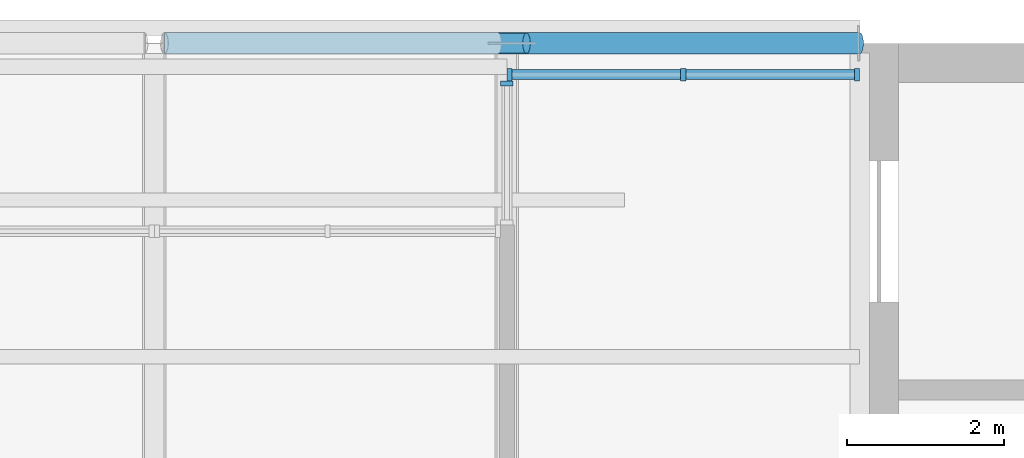
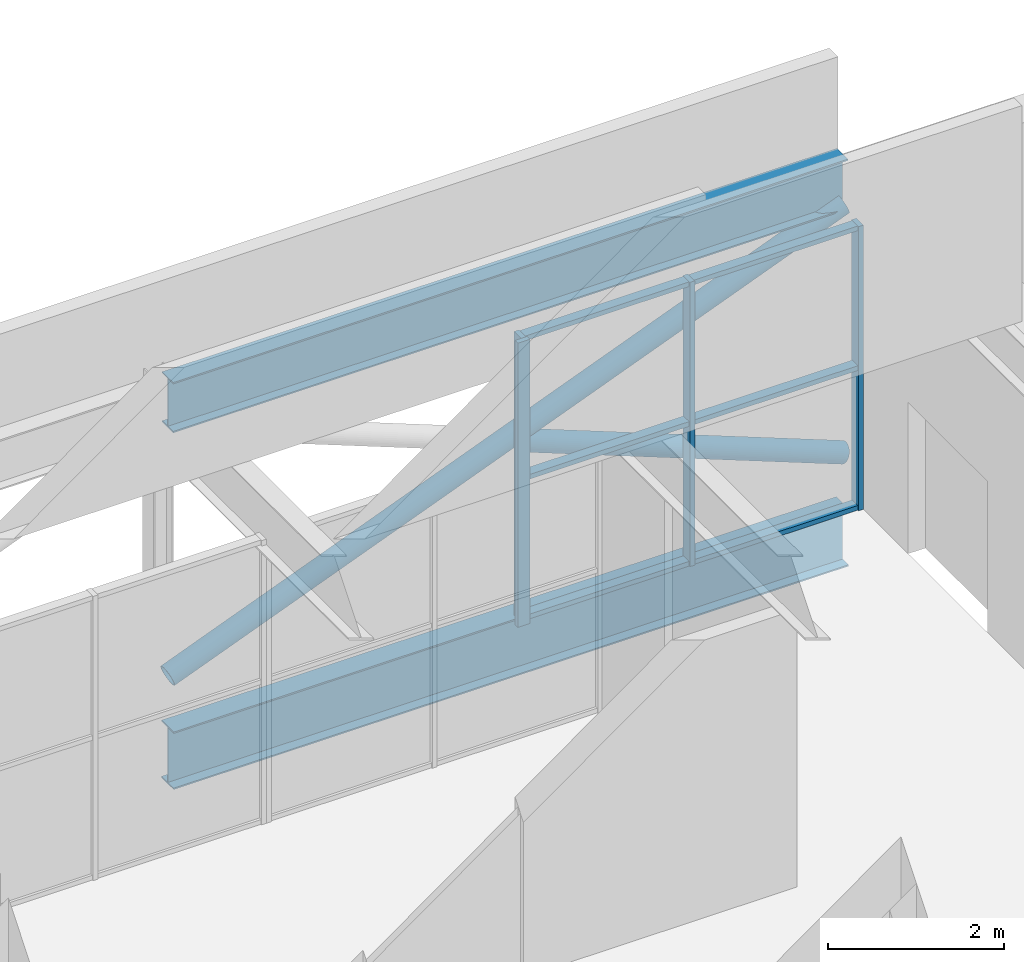
# One storey, part 5 of 13: 12 members, 2 beams, 2 elements without a shape of their own.
"""IFC4 building model written with IfcOpenShell, lengths in metres."""

from ifc_helpers import new_model, si_unit, direction, frame, origin, origin_2d, place, context, subcontext, project, spatial, rectangle, hollow_circle, i_section, extrude, material, layer, layer_set, material_profile, profile_set, type_object, element, aggregate, save


model = new_model("IFC4")

# Units and contexts
model_context = context("Model", 3, precision=1e-05, world=origin(), true_north=direction((0.0, 1.0)))
body_context = subcontext(model_context, "Body", "Model", "MODEL_VIEW")
ifc_project = project(units=[si_unit("LENGTHUNIT", "METRE"), si_unit("AREAUNIT", "SQUARE_METRE"), si_unit("VOLUMEUNIT", "CUBIC_METRE"), si_unit("PLANEANGLEUNIT", "RADIAN"), si_unit("MASSUNIT", "GRAM", prefix="KILO")], contexts=[model_context])

# Site, building, storey
site_placement = place(None, origin())
site = spatial("IfcSite", under=ifc_project, at=site_placement, CompositionType="ELEMENT")
building_placement = place(site_placement, origin())
building = spatial("IfcBuilding", under=site, at=building_placement, Name="Corbel Yard City Hall", CompositionType="ELEMENT")
storey_placement = place(building_placement, frame((0.0, 0.0, 71.199951171875)))
storey = spatial("IfcBuildingStorey", under=building, at=storey_placement, Name="L17", CompositionType="ELEMENT", Elevation=71.199951171875)

# Members
ifc_material_1 = material(Name="Steel Grade C350L0", Category="steel")
ifc_material_profile_1 = material_profile(ifc_material_1, hollow_circle(Radius=0.136474609375, WallThickness=0.00927734375, at=origin_2d()), Name="273.1x9.3CHS")
ifc_profile_set_1 = profile_set([ifc_material_profile_1], Name="Steel Grade C350L0")
member_type_1 = type_object("IfcMemberType", Name="Crown brace 273.1x9.3CHS", PredefinedType="BRACE", material=ifc_profile_set_1)
member_1_placement = place(storey_placement, frame((36.1298828125, 117.0, 0.5), z_axis=(0.93155453229, 0.0, 0.363601641044), x_axis=(0.0, 1.0, 0.0)))
element("IfcMember", 1, at=member_1_placement, inside=storey, type_object=member_type_1, Name="Crown brace 273.1x9.3CHS BX1", PredefinedType="BRACE", context=body_context, shape_type="SweptSolid", body=[
    extrude(hollow_circle(Radius=0.136474609375, WallThickness=0.00927734375, at=origin_2d()), origin(), (0.0, 0.0, 1.0), 9.521728515625),
])
ifc_material_profile_2 = material_profile(ifc_material_1, hollow_circle(Radius=0.136474609375, WallThickness=0.00927734375, at=origin_2d()), Name="273.1x9.3CHS")
ifc_profile_set_2 = profile_set([ifc_material_profile_2], Name="Steel Grade C350L0")
member_type_2 = type_object("IfcMemberType", Name="Crown half brace 273.1x9.3CHS", PredefinedType="BRACE", material=ifc_profile_set_2)
member_2_placement = place(storey_placement, frame((40.75, 117.0, 2.158935546875), z_axis=(0.931548000726, 0.0, -0.363618374594), x_axis=(0.0, 1.0, 0.0)))
element("IfcMember", 2, at=member_2_placement, inside=storey, type_object=member_type_2, Name="Crown half brace 273.1x9.3CHS BX2", PredefinedType="BRACE", context=body_context, shape_type="SweptSolid", body=[
    extrude(hollow_circle(Radius=0.136474609375, WallThickness=0.00927734375, at=origin_2d()), origin(), (0.0, 0.0, 1.0), 4.562255859375),
])

# Beams
ifc_material_2 = material(Name="Steel Grade 350", Category="steel")
ifc_material_profile_3 = material_profile(ifc_material_2, i_section(OverallWidth=0.25, OverallDepth=0.699951171875, WebThickness=0.010009765625, FlangeThickness=0.02001953125, at=origin_2d()), Name="700WB130")
ifc_profile_set_3 = profile_set([ifc_material_profile_3], Name="Steel Grade 350")
beam_type_1 = type_object("IfcBeamType", Name="Edge beam 700WB130", PredefinedType="BEAM", material=ifc_profile_set_3)
beam_1_placement = place(storey_placement, frame((36.1298828125, 117.0, 4.300048828125), z_axis=(1.0, 0.0, 0.0), x_axis=(0.0, 1.0, 0.0)))
element("IfcBeam", 3, at=beam_1_placement, inside=storey, type_object=beam_type_1, Name="Edge beam 700WB130 EB9 L17roof", PredefinedType="BEAM", context=body_context, shape_type="SweptSolid", body=[
    extrude(i_section(OverallWidth=0.25, OverallDepth=0.699951171875, WebThickness=0.010009765625, FlangeThickness=0.02001953125, at=origin_2d()), origin(), (0.0, 0.0, 1.0), 8.8701171875),
])
ifc_material_profile_4 = material_profile(ifc_material_2, i_section(OverallWidth=0.27490234375, OverallDepth=0.800048828125, WebThickness=0.010009765625, FlangeThickness=0.02001953125, at=origin_2d()), Name="800WB146")
ifc_profile_set_4 = profile_set([ifc_material_profile_4], Name="Steel Grade 350")
beam_type_2 = type_object("IfcBeamType", Name="Edge beam 800WB146", PredefinedType="BEAM", material=ifc_profile_set_4)
beam_2_placement = place(storey_placement, frame((36.1298828125, 117.0, -0.599853515625), z_axis=(1.0, 0.0, 0.0), x_axis=(0.0, 1.0, 0.0)))
element("IfcBeam", 4, at=beam_2_placement, inside=storey, type_object=beam_type_2, Name="Edge beam 800WB146 EB11 L17tower", PredefinedType="BEAM", context=body_context, shape_type="SweptSolid", body=[
    extrude(i_section(OverallWidth=0.27490234375, OverallDepth=0.800048828125, WebThickness=0.010009765625, FlangeThickness=0.02001953125, at=origin_2d()), origin(), (0.0, 0.0, 1.0), 8.8701171875),
])

# Curtain wall, members
ifc_material_3 = material(Name="Aluminium extrusion", Category="aluminium")
ifc_layer = layer(ifc_material_3, 0.159912109375)
ifc_layer_set = layer_set([ifc_layer], Name="Aluminium extrusion")
curtain_wall_type = type_object("IfcCurtainWallType", Name="CW8", PredefinedType="USERDEFINED", material=ifc_layer_set)
curtain_wall_1_placement = place(storey_placement, origin())
curtain_wall_1 = element("IfcCurtainWall", 5, at=curtain_wall_1_placement, inside=storey, type_object=curtain_wall_type, Name="Curtain wall CW8 L17", ObjectType="CURTAIN WALL", PredefinedType="USERDEFINED")
ifc_material_profile_5 = material_profile(ifc_material_3, rectangle(XDim=0.159912109375, YDim=0.06494140625, at=origin_2d()), Name="160x65")
ifc_profile_set_5 = profile_set([ifc_material_profile_5], Name="Aluminium extrusion")
member_type_3 = type_object("IfcMemberType", Name="ML8", PredefinedType="MULLION", material=ifc_profile_set_5)
member_3_placement = place(storey_placement, frame((40.532470703125, 116.60009765625, 0.0), z_axis=(0.0, 0.0, 1.0), x_axis=(0.0, 1.0, 0.0)))
member_3 = element("IfcMember", 6, at=member_3_placement, type_object=member_type_3, Name="CW8 mullion 1", PredefinedType="MULLION", context=body_context, shape_type="SweptSolid", body=[
    extrude(rectangle(XDim=0.159912109375, YDim=0.06494140625, at=origin_2d()), origin(), (0.0, 0.0, 1.0), 3.949951171875),
])
member_4_placement = place(storey_placement, frame((42.75, 116.60009765625, 0.0), z_axis=(0.0, 0.0, 1.0), x_axis=(0.0, 1.0, 0.0)))
member_4 = element("IfcMember", 7, at=member_4_placement, type_object=member_type_3, Name="CW8 mullion 2", PredefinedType="MULLION", context=body_context, shape_type="SweptSolid", body=[
    extrude(rectangle(XDim=0.159912109375, YDim=0.06494140625, at=origin_2d()), origin(), (0.0, 0.0, 1.0), 3.949951171875),
])
member_5_placement = place(storey_placement, frame((44.967529296875, 116.60009765625, 0.0), z_axis=(0.0, 0.0, 1.0), x_axis=(0.0, 1.0, 0.0)))
member_5 = element("IfcMember", 8, at=member_5_placement, type_object=member_type_3, Name="CW8 mullion 3", PredefinedType="MULLION", context=body_context, shape_type="SweptSolid", body=[
    extrude(rectangle(XDim=0.159912109375, YDim=0.06494140625, at=origin_2d()), origin(), (0.0, 0.0, 1.0), 3.949951171875),
])

# Curtain wall, member
curtain_wall_2_placement = place(storey_placement, origin())
curtain_wall_2 = element("IfcCurtainWall", 9, at=curtain_wall_2_placement, inside=storey, type_object=curtain_wall_type, Name="Curtain wall CW8 L17", ObjectType="CURTAIN WALL", PredefinedType="USERDEFINED")
member_6_placement = place(storey_placement, frame((40.5, 116.487548828125, 0.0), z_axis=(0.0, 0.0, 1.0), x_axis=(1.0, 0.0, 0.0)))
member_6 = element("IfcMember", 10, at=member_6_placement, type_object=member_type_3, Name="CW8 mullion 1", PredefinedType="MULLION", context=body_context, shape_type="SweptSolid", body=[
    extrude(rectangle(XDim=0.159912109375, YDim=0.06494140625, at=origin_2d()), origin(), (0.0, 0.0, 1.0), 3.949951171875),
])
aggregate(curtain_wall_2, [member_6])

# Member
ifc_material_profile_6 = material_profile(ifc_material_3, rectangle(XDim=0.1298828125, YDim=0.06494140625, at=origin_2d()), Name="130x65")
ifc_profile_set_6 = profile_set([ifc_material_profile_6], Name="Aluminium extrusion")
member_type_4 = type_object("IfcMemberType", Name="TR8", PredefinedType="USERDEFINED", material=ifc_profile_set_6)
member_7_placement = place(storey_placement, frame((40.56494140625, 116.60009765625, 0.032470703125), z_axis=(1.0, 0.0, 0.0), x_axis=(0.0, 1.0, 0.0)))
member_7 = element("IfcMember", 11, at=member_7_placement, type_object=member_type_4, Name="CW8 transom 1.1", ObjectType="TRANSOM", PredefinedType="USERDEFINED", context=body_context, shape_type="SweptSolid", body=[
    extrude(rectangle(XDim=0.1298828125, YDim=0.06494140625, at=origin_2d()), origin(), (0.0, 0.0, 1.0), 2.152587890625),
])

member_8_placement = place(storey_placement, frame((40.56494140625, 116.60009765625, 1.97509765625), z_axis=(1.0, 0.0, 0.0), x_axis=(0.0, 1.0, 0.0)))
member_8 = element("IfcMember", 12, at=member_8_placement, type_object=member_type_4, Name="CW8 transom 1.2", ObjectType="TRANSOM", PredefinedType="USERDEFINED", context=body_context, shape_type="SweptSolid", body=[
    extrude(rectangle(XDim=0.1298828125, YDim=0.06494140625, at=origin_2d()), origin(), (0.0, 0.0, 1.0), 2.152587890625),
])

member_9_placement = place(storey_placement, frame((40.56494140625, 116.60009765625, 3.91748046875), z_axis=(1.0, 0.0, 0.0), x_axis=(0.0, 1.0, 0.0)))
member_9 = element("IfcMember", 13, at=member_9_placement, type_object=member_type_4, Name="CW8 transom 1.3", ObjectType="TRANSOM", PredefinedType="USERDEFINED", context=body_context, shape_type="SweptSolid", body=[
    extrude(rectangle(XDim=0.1298828125, YDim=0.06494140625, at=origin_2d()), origin(), (0.0, 0.0, 1.0), 2.152587890625),
])

member_10_placement = place(storey_placement, frame((42.782470703125, 116.60009765625, 0.032470703125), z_axis=(1.0, 0.0, 0.0), x_axis=(0.0, 1.0, 0.0)))
member_10 = element("IfcMember", 14, at=member_10_placement, type_object=member_type_4, Name="CW8 transom 2.1", ObjectType="TRANSOM", PredefinedType="USERDEFINED", context=body_context, shape_type="SweptSolid", body=[
    extrude(rectangle(XDim=0.1298828125, YDim=0.06494140625, at=origin_2d()), origin(), (0.0, 0.0, 1.0), 2.152587890625),
])

member_11_placement = place(storey_placement, frame((42.782470703125, 116.60009765625, 1.97509765625), z_axis=(1.0, 0.0, 0.0), x_axis=(0.0, 1.0, 0.0)))
member_11 = element("IfcMember", 15, at=member_11_placement, type_object=member_type_4, Name="CW8 transom 2.2", ObjectType="TRANSOM", PredefinedType="USERDEFINED", context=body_context, shape_type="SweptSolid", body=[
    extrude(rectangle(XDim=0.1298828125, YDim=0.06494140625, at=origin_2d()), origin(), (0.0, 0.0, 1.0), 2.152587890625),
])

member_12_placement = place(storey_placement, frame((42.782470703125, 116.60009765625, 3.91748046875), z_axis=(1.0, 0.0, 0.0), x_axis=(0.0, 1.0, 0.0)))
member_12 = element("IfcMember", 16, at=member_12_placement, type_object=member_type_4, Name="CW8 transom 2.3", ObjectType="TRANSOM", PredefinedType="USERDEFINED", context=body_context, shape_type="SweptSolid", body=[
    extrude(rectangle(XDim=0.1298828125, YDim=0.06494140625, at=origin_2d()), origin(), (0.0, 0.0, 1.0), 2.152587890625),
])

aggregate(curtain_wall_1, [member_3, member_4, member_5, member_7, member_8, member_9, member_10, member_11, member_12])

save(model, "model.ifc")
